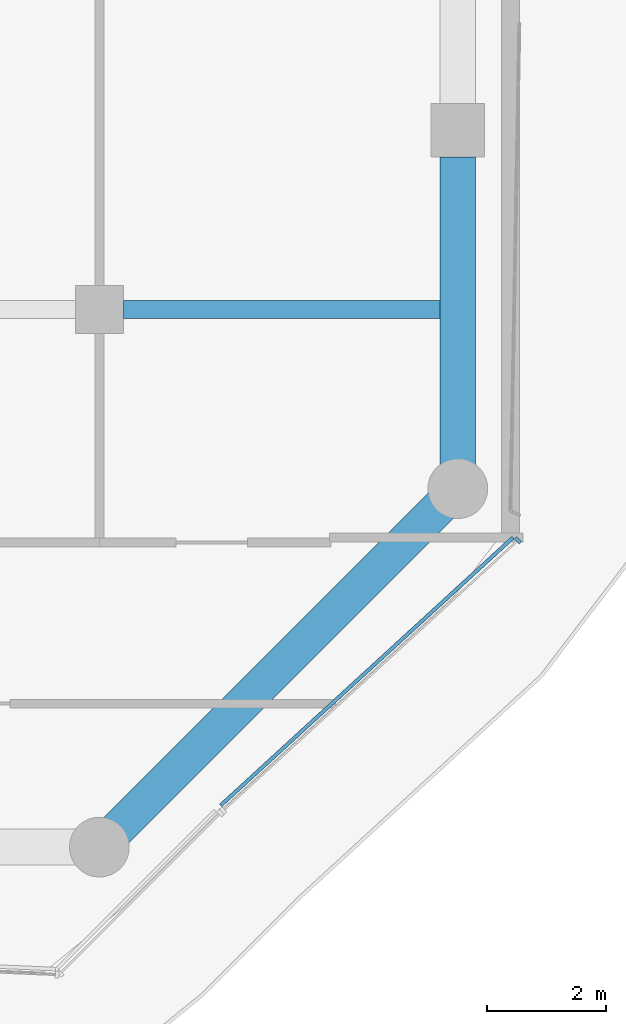
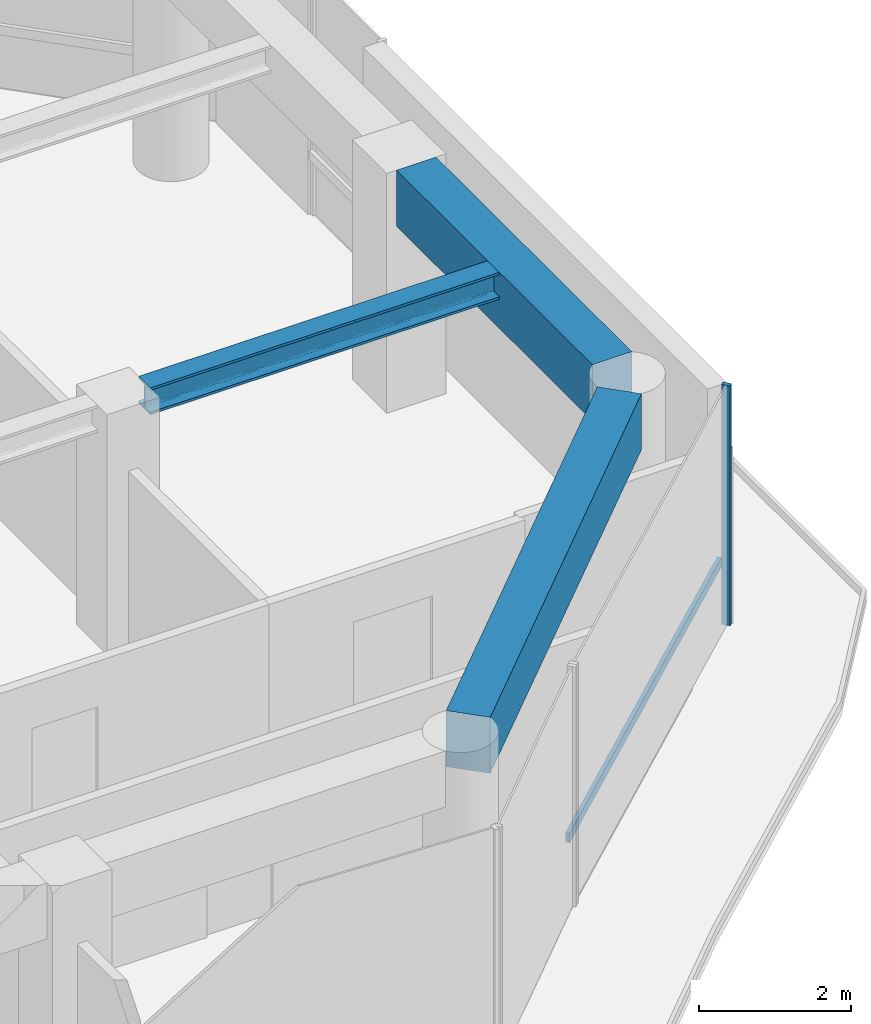
# One storey, part 7 of 25: 3 beams, 2 members, 1 element without a shape of its own.
"""IFC4 building model written with IfcOpenShell, lengths in metres."""

from ifc_helpers import new_model, si_unit, direction, frame, origin, origin_2d, place, context, subcontext, project, spatial, rectangle, i_section, extrude, material, layer, layer_set, material_profile, profile_set, type_object, element, aggregate, save


model = new_model("IFC4")

# Units and contexts
model_context = context("Model", 3, precision=1e-05, world=origin(), true_north=direction((0.0, 1.0)))
body_context = subcontext(model_context, "Body", "Model", "MODEL_VIEW")
ifc_project = project(units=[si_unit("LENGTHUNIT", "METRE"), si_unit("AREAUNIT", "SQUARE_METRE"), si_unit("VOLUMEUNIT", "CUBIC_METRE"), si_unit("PLANEANGLEUNIT", "RADIAN"), si_unit("MASSUNIT", "GRAM", prefix="KILO")], contexts=[model_context])

# Site, building, storey
site_placement = place(None, origin())
site = spatial("IfcSite", under=ifc_project, at=site_placement, CompositionType="ELEMENT")
building_placement = place(site_placement, origin())
building = spatial("IfcBuilding", under=site, at=building_placement, Name="Welwitschia Terrace Campus", CompositionType="ELEMENT")
storey_placement = place(building_placement, frame((0.0, 0.0, 121.39990234375)))
storey = spatial("IfcBuildingStorey", under=building, at=storey_placement, Name="L27", CompositionType="ELEMENT", Elevation=121.39990234375)

# Beam
ifc_material_1 = material(Name="Steel S355", Category="steel")
ifc_material_profile_1 = material_profile(ifc_material_1, i_section(OverallWidth=0.306884765625, OverallDepth=0.431884765625, WebThickness=0.02099609375, FlangeThickness=0.0400390625, FilletRadius=0.027099609375, at=origin_2d()))
ifc_profile_set_1 = profile_set([ifc_material_profile_1], Name="Steel S355")
beam_type_1 = type_object("IfcBeamType", Name="Interior girder HE 400 M", PredefinedType="BEAM", material=ifc_profile_set_1)
beam_1_placement = place(storey_placement, frame((48.400390625, 13.0, 3.634033203125), z_axis=(1.0, 0.0, 0.0), x_axis=(0.0, 1.0, 0.0)))
element("IfcBeam", 1, at=beam_1_placement, inside=storey, type_object=beam_type_1, Name="Girder GB3", PredefinedType="BEAM", context=body_context, shape_type="SweptSolid", body=[
    extrude(i_section(OverallWidth=0.306884765625, OverallDepth=0.431884765625, WebThickness=0.02099609375, FlangeThickness=0.0400390625, FilletRadius=0.027099609375, at=origin_2d()), origin(), (0.0, 0.0, 1.0), 5.609619140625),
])

# Curtain wall, member
ifc_material_2 = material(Name="Bronze anodised aluminium", Category="aluminium")
ifc_layer = layer(ifc_material_2, 0.1201171875)
ifc_layer_set = layer_set([ifc_layer], Name="Bronze anodised aluminium")
curtain_wall_type = type_object("IfcCurtainWallType", Name="Curtain wall CW2 tower 6000", PredefinedType="NOTDEFINED", material=ifc_layer_set)
curtain_wall_placement = place(storey_placement, origin())
curtain_wall = element("IfcCurtainWall", 2, at=curtain_wall_placement, inside=storey, type_object=curtain_wall_type, Name="CW L27.5.0", PredefinedType="NOTDEFINED")
ifc_material_3 = material(Name="Bronze anodised aluminium", Category="aluminium")
ifc_material_profile_2 = material_profile(ifc_material_3, rectangle(XDim=0.1201171875, YDim=0.06005859375, at=origin_2d()))
ifc_profile_set_2 = profile_set([ifc_material_profile_2], Name="Bronze anodised aluminium")
member_type_1 = type_object("IfcMemberType", Name="Mullion 60x120", PredefinedType="MULLION", material=ifc_profile_set_2)
member_1_placement = place(storey_placement, frame((55.0078125, 9.13623046875, 0.0), z_axis=(0.0, 0.0, 1.0), x_axis=(-0.675590207616, 0.73727733681, 0.0)))
member_1 = element("IfcMember", 3, at=member_1_placement, type_object=member_type_1, Name="Mullion L27.5.0.1", PredefinedType="MULLION", context=body_context, shape_type="SweptSolid", body=[
    extrude(rectangle(XDim=0.1201171875, YDim=0.06005859375, at=origin_2d()), origin(), (0.0, 0.0, 1.0), 3.85009765625),
])

# Beams
ifc_material_4 = material(Name="Concrete C60/75", Category="concrete")
ifc_material_profile_3 = material_profile(ifc_material_4, rectangle(XDim=0.60009765625, YDim=0.89990234375, at=origin_2d()))
ifc_profile_set_3 = profile_set([ifc_material_profile_3], Name="Concrete C60/75")
beam_type_2 = type_object("IfcBeamType", Name="Ring spandrel 600x900", PredefinedType="SPANDREL", material=ifc_profile_set_3)
beam_2_placement = place(storey_placement, frame((48.283203125, 4.283203125, 3.400146484375), z_axis=(0.707106781187, 0.707106781187, 0.0), x_axis=(-0.707106781187, 0.707106781187, 0.0)))
element("IfcBeam", 4, at=beam_2_placement, inside=storey, type_object=beam_type_2, Name="Spandrel SP2", PredefinedType="SPANDREL", context=body_context, shape_type="SweptSolid", body=[
    extrude(rectangle(XDim=0.60009765625, YDim=0.89990234375, at=origin_2d()), origin(), (0.0, 0.0, 1.0), 7.684326171875),
])
beam_3_placement = place(storey_placement, frame((54.0, 10.400390625, 3.400146484375), z_axis=(0.0, 1.0, 0.0), x_axis=(-1.0, 0.0, 0.0)))
element("IfcBeam", 5, at=beam_3_placement, inside=storey, type_object=beam_type_2, Name="Spandrel SP2", PredefinedType="SPANDREL", context=body_context, shape_type="SweptSolid", body=[
    extrude(rectangle(XDim=0.60009765625, YDim=0.89990234375, at=origin_2d()), origin(), (0.0, 0.0, 1.0), 5.149169921875),
])

# Member
ifc_material_5 = material(Name="Bronze anodised aluminium", Category="aluminium")
ifc_material_profile_4 = material_profile(ifc_material_5, rectangle(XDim=0.06005859375, YDim=0.14990234375, at=origin_2d()))
ifc_profile_set_4 = profile_set([ifc_material_profile_4], Name="Bronze anodised aluminium")
member_type_2 = type_object("IfcMemberType", Name="Transom 60x150", PredefinedType="USERDEFINED", material=ifc_profile_set_4)
member_2_placement = place(storey_placement, frame((50.03076171875, 4.697509765625, 1.0), z_axis=(0.737271677169, 0.675596383978, 0.0), x_axis=(-0.675596383978, 0.737271677169, 0.0)))
member_2 = element("IfcMember", 6, at=member_2_placement, type_object=member_type_2, Name="Transom L27.5.0", ObjectType="TRANSOM", PredefinedType="USERDEFINED", context=body_context, shape_type="SweptSolid", body=[
    extrude(rectangle(XDim=0.06005859375, YDim=0.14990234375, at=origin_2d()), origin(), (0.0, 0.0, 1.0), 6.638427734375),
])

aggregate(curtain_wall, [member_1, member_2])

save(model, "model.ifc")
